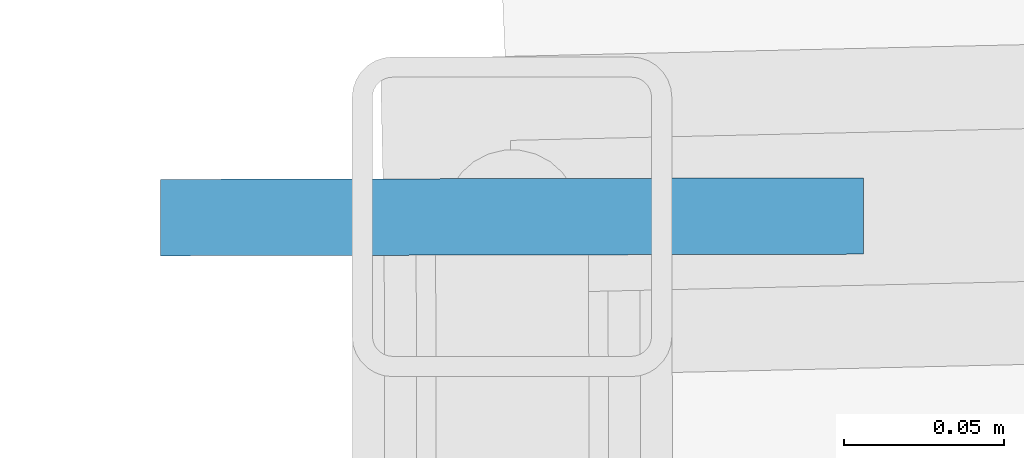
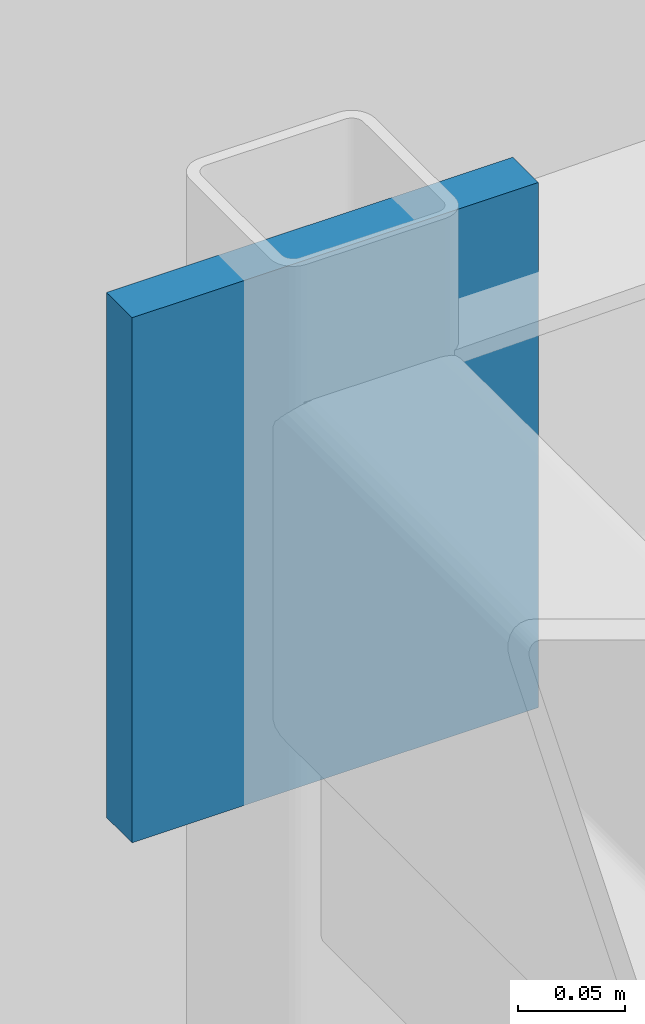
# One storey, part 53 of 100: 1 plate.
"""IFC4 building model written with IfcOpenShell, lengths in metres."""

from ifc_helpers import new_model, si_unit, direction, frame, origin, origin_2d, place, context, subcontext, project, spatial, rectangle, extrude, material, layer, layer_set, type_object, element, save


model = new_model("IFC4")

# Units and contexts
model_context = context("Model", 3, precision=1e-05, world=origin(), true_north=direction((0.0, 1.0)))
body_context = subcontext(model_context, "Body", "Model", "MODEL_VIEW")
ifc_project = project(units=[si_unit("LENGTHUNIT", "METRE"), si_unit("AREAUNIT", "SQUARE_METRE"), si_unit("VOLUMEUNIT", "CUBIC_METRE"), si_unit("PLANEANGLEUNIT", "RADIAN"), si_unit("MASSUNIT", "GRAM", prefix="KILO"), si_unit("POWERUNIT", "WATT"), si_unit("THERMODYNAMICTEMPERATUREUNIT", "KELVIN")], contexts=[model_context])

# Site, building, storey
site_placement = place(None, origin())
site = spatial("IfcSite", under=ifc_project, at=site_placement, CompositionType="ELEMENT")
building_placement = place(site_placement, origin())
building = spatial("IfcBuilding", under=site, at=building_placement, Name="Ruvembo Vaulted Housing Court", CompositionType="ELEMENT")
storey_placement = place(building_placement, frame((0.0, 0.0, 10.89990234375)))
storey = spatial("IfcBuildingStorey", under=building, at=storey_placement, Name="L03", CompositionType="ELEMENT", Elevation=10.89990234375)

# Plate
ifc_material = material(Name="Steel S355J2", Category="steel")
ifc_layer = layer(ifc_material, 0.01611328125, Name="Steel S355J2")
ifc_layer_set = layer_set([ifc_layer], Name="Steel S355J2")
plate_type = type_object("IfcPlateType", Name="PL-NODE-GUSSET-16", PredefinedType="USERDEFINED", material=ifc_layer_set)
plate_placement = place(storey_placement, frame((47.7880859375, 75.04248046875, 2.68994140625), z_axis=(0.0, 0.0, 1.0), x_axis=(-0.002286379328, 0.999997386231, 0.0)))
element("IfcPlate", 1, at=plate_placement, inside=storey, type_object=plate_type, Name="Scoop SC1 L03 Hollow Spandrel End Cap Plate 18", ObjectType="GUSSET_PLATE", PredefinedType="USERDEFINED", context=body_context, shape_type="SweptSolid", body=[
    extrude(rectangle(XDim=0.02392578125, YDim=0.219970703125, at=origin_2d()), origin(), (0.0, 0.0, 1.0), 0.300048828125),
])

save(model, "model.ifc")
